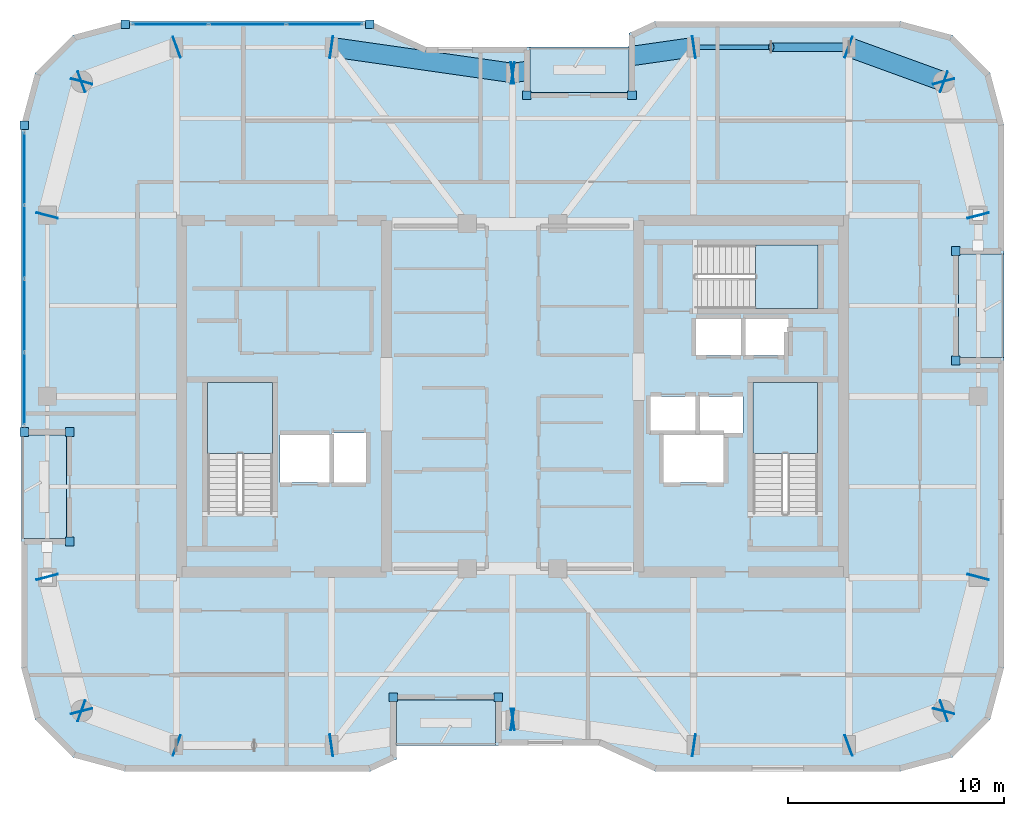
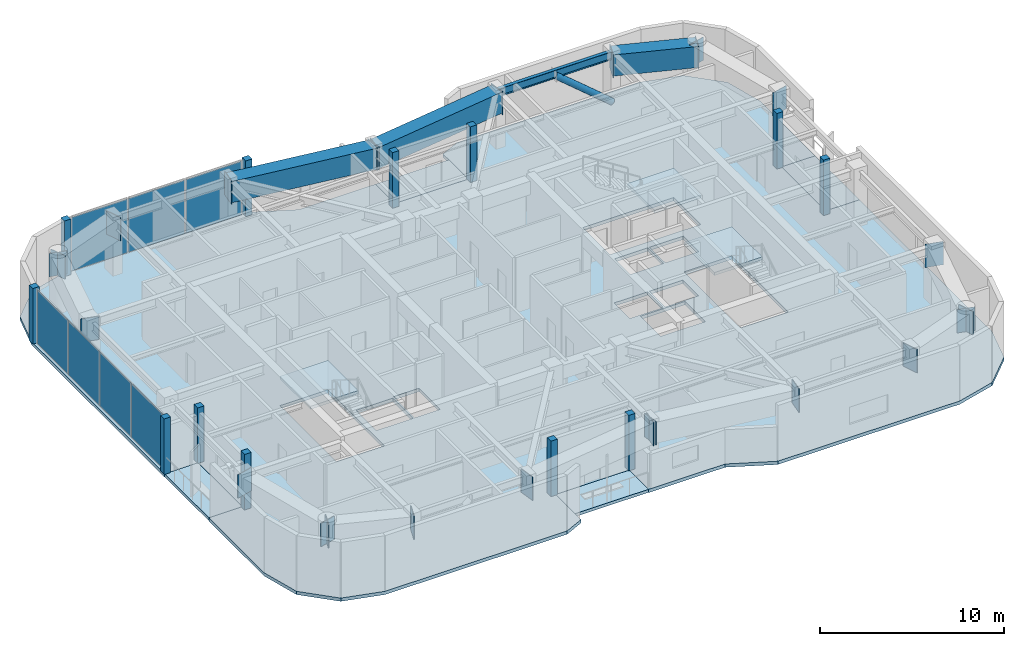
# One storey, part 7 of 16: 43 plates, 8 slabs, 4 beams, 1 member, 5 elements without a shape of their own.
"""IFC4 building model written with IfcOpenShell, lengths in metres."""

from ifc_helpers import new_model, si_unit, direction, frame, origin, origin_2d, place, context, subcontext, project, spatial, polyline, rectangle, hollow_rectangle, hollow_circle, i_section, outline, extrude, material, layer, layer_set, material_profile, profile_set, type_object, element, aggregate, save


model = new_model("IFC4")

# Units and contexts
model_context = context("Model", 3, precision=1e-05, world=origin(), true_north=direction((0.0, 1.0)))
body_context = subcontext(model_context, "Body", "Model", "MODEL_VIEW")
ifc_project = project(units=[si_unit("LENGTHUNIT", "METRE"), si_unit("AREAUNIT", "SQUARE_METRE"), si_unit("VOLUMEUNIT", "CUBIC_METRE"), si_unit("PLANEANGLEUNIT", "RADIAN"), si_unit("MASSUNIT", "GRAM", prefix="KILO")], contexts=[model_context])

# Site, building, storey
site_placement = place(None, origin())
site = spatial("IfcSite", under=ifc_project, at=site_placement, CompositionType="ELEMENT")
building_placement = place(site_placement, origin())
building = spatial("IfcBuilding", under=site, at=building_placement, Name="Kiyonajd Concourse Tower", CompositionType="ELEMENT")
storey_placement = place(building_placement, frame((0.0, 0.0, 325.800048828125)))
storey = spatial("IfcBuildingStorey", under=building, at=storey_placement, Name="L82", CompositionType="ELEMENT", Elevation=325.800048828125)

# Beams
ifc_material_1 = material(Name="Steel ASTM A992 Grade 50", Category="steel")
ifc_material_profile_1 = material_profile(ifc_material_1, i_section(OverallWidth=0.2109375, OverallDepth=0.5390625, WebThickness=0.01171875, FlangeThickness=0.018798828125, at=origin_2d()), Name="W530X109")
ifc_profile_set_1 = profile_set([ifc_material_profile_1], Name="Steel ASTM A992 Grade 50")
beam_type_1 = type_object("IfcBeamType", Name="BM-SPAN-530B", PredefinedType="SPANDREL", material=ifc_profile_set_1)
beam_1_placement = place(storey_placement, frame((63.60009765625, 52.199951171875, 3.410400390625), z_axis=(-1.0, 0.0, 0.0), x_axis=(0.0, -1.0, 0.0)))
element("IfcBeam", 1, at=beam_1_placement, inside=storey, type_object=beam_type_1, Name="L82 Perimeter Bundled Tube Spandrel", PredefinedType="SPANDREL", context=body_context, shape_type="SweptSolid", body=[
    extrude(i_section(OverallWidth=0.2109375, OverallDepth=0.5390625, WebThickness=0.01171875, FlangeThickness=0.018798828125, at=origin_2d()), origin(), (0.0, 0.0, 1.0), 7.2001953125),
])
ifc_material_2 = material(Name="Steel ASTM A572 Grade 50", Category="steel")
ifc_material_profile_2 = material_profile(ifc_material_2, hollow_rectangle(XDim=0.89990234375, YDim=1.39990234375, WallThickness=0.070068359375, at=origin_2d()), Name="BOX-1400x900x70")
ifc_profile_set_2 = profile_set([ifc_material_profile_2], Name="Steel ASTM A572 Grade 50")
beam_type_2 = type_object("IfcBeamType", Name="BM-XFER-1400", PredefinedType="BEAM", material=ifc_profile_set_2)
beam_2_placement = place(storey_placement, frame((68.0, 50.60009765625, 2.97998046875), z_axis=(-0.939801036019, 0.341722127901, 0.0), x_axis=(-0.341722127901, -0.939801036019, 0.0)))
element("IfcBeam", 2, at=beam_2_placement, inside=storey, type_object=beam_type_2, Name="L82 Perimeter Bundled Tube Spandrel", PredefinedType="BEAM", context=body_context, shape_type="SweptSolid", body=[
    extrude(hollow_rectangle(XDim=0.89990234375, YDim=1.39990234375, WallThickness=0.070068359375, at=origin_2d()), origin(), (0.0, 0.0, 1.0), 4.681640625),
])
for number, where, z_axis, x_axis, name in (
    (3, (56.39990234375, 52.199951171875, 2.97998046875), (-0.989950069105, -0.141417328072, 0.0), (0.141417328072, -0.989950069105, 0.0), "L82 Perimeter Bundled Tube Spandrel"),
    (4, (48.0, 51.0, 2.97998046875), (-0.989950069105, 0.141417328072, 0.0), (-0.141417328072, -0.989950069105, 0.0), "L82 Perimeter Bundled Tube Spandrel"),
):
    element("IfcBeam", number, at=place(storey_placement, frame(where, z_axis=z_axis, x_axis=x_axis)), inside=storey, type_object=beam_type_2, Name=name, PredefinedType="BEAM", context=body_context, shape_type="SweptSolid", body=[
        extrude(hollow_rectangle(XDim=0.89990234375, YDim=1.39990234375, WallThickness=0.070068359375, at=origin_2d()), origin(), (0.0, 0.0, 1.0), 8.485107421875),
    ])

# Member
ifc_material_3 = material(Name="Steel ASTM A500 Grade C", Category="steel")
ifc_material_profile_3 = material_profile(ifc_material_3, hollow_circle(Radius=0.202880859375, WallThickness=0.01904296875, at=origin_2d()), Name="CHS-406x19")
ifc_profile_set_3 = profile_set([ifc_material_profile_3], Name="Steel ASTM A500 Grade C")
member_type = type_object("IfcMemberType", Name="MB-PB-HIGH", PredefinedType="BRACE", material=ifc_profile_set_3)
member_placement = place(storey_placement, frame((63.60009765625, 52.199951171875, 0.300048828125), z_axis=(-0.765107605277, 0.0, 0.643902440085), x_axis=(0.0, -1.0, 0.0)))
element("IfcMember", 5, at=member_placement, inside=storey, type_object=member_type, Name="L82 Upper Zone Hollow Tube Brace PBN", PredefinedType="BRACE", context=body_context, shape_type="SweptSolid", body=[
    extrude(hollow_circle(Radius=0.202880859375, WallThickness=0.01904296875, at=origin_2d()), origin(), (0.0, 0.0, 1.0), 4.705322265625),
])

# Plates
ifc_layer_1 = layer(ifc_material_2, 0.031982421875)
ifc_layer_set_1 = layer_set([ifc_layer_1], Name="Steel ASTM A572 Grade 50")
plate_type_1 = type_object("IfcPlateType", Name="PL-CAP-540", PredefinedType="USERDEFINED", material=ifc_layer_set_1)
for number, where, z_axis, x_axis, name in (
    (6, (26.397216796875, 27.610595703125, 2.2099609375), (0.0, 0.0, 1.0), (-0.249873048837, 0.968278606324, 0.0), "L82 Welded Box Girder End Cap"),
    (7, (28.002685546875, 21.389404296875, 2.2099609375), (0.0, 0.0, 1.0), (0.249873048837, -0.968278606324, 0.0), "L82 Welded Box Girder End Cap"),
    (8, (27.98974609375, 21.40380859375, 2.2099609375), (0.0, 0.0, 1.0), (-0.939811951086, 0.341692107891, 0.0), "L82 Welded Box Girder End Cap"),
    (9, (32.410400390625, 19.796142578125, 2.2099609375), (0.0, 0.0, 1.0), (0.939811951086, -0.341692107891, 0.0), "L82 Welded Box Girder End Cap"),
    (10, (39.589111328125, 19.79833984375, 2.2099609375), (0.0, 0.0, 1.0), (-0.989949746297, -0.141419587774, 0.0), "L82 Welded Box Girder End Cap"),
    (11, (48.010986328125, 21.001708984375, 2.2099609375), (0.0, 0.0, 1.0), (0.989949746297, 0.141419587774, 0.0), "L82 Welded Box Girder End Cap"),
    (12, (47.989013671875, 21.001708984375, 2.2099609375), (0.0, 0.0, 1.0), (-0.989949746297, 0.141419587774, 0.0), "L82 Welded Box Girder End Cap"),
    (13, (56.410888671875, 19.79833984375, 2.2099609375), (0.0, 0.0, 1.0), (0.989949746297, -0.141419587774, 0.0), "L82 Welded Box Girder End Cap"),
    (14, (63.589599609375, 19.796142578125, 2.2099609375), (0.0, 0.0, 1.0), (-0.939811951086, -0.341692107891, 0.0), "L82 Welded Box Girder End Cap"),
    (15, (68.01025390625, 21.40380859375, 2.2099609375), (0.0, 0.0, 1.0), (0.939811951086, 0.341692107891, 0.0), "L82 Welded Box Girder End Cap"),
    (16, (67.997314453125, 21.389404296875, 2.2099609375), (0.0, 0.0, 1.0), (-0.249873048837, -0.968278606324, 0.0), "L82 Welded Box Girder End Cap"),
    (17, (69.602783203125, 27.610595703125, 2.2099609375), (0.0, 0.0, 1.0), (0.249873048837, 0.968278606324, 0.0), "L82 Welded Box Girder End Cap"),
    (18, (69.602783203125, 44.389404296875, 2.2099609375), (0.0, 0.0, 1.0), (0.249873048837, -0.968278606324, 0.0), "L82 Welded Box Girder End Cap"),
    (19, (67.997314453125, 50.610595703125, 2.2099609375), (0.0, 0.0, 1.0), (-0.249873048837, 0.968278606324, 0.0), "L82 Welded Box Girder End Cap"),
    (20, (68.01025390625, 50.59619140625, 2.2099609375), (0.0, 0.0, 1.0), (0.939811951086, -0.341692107891, 0.0), "L82 Welded Box Girder End Cap"),
    (21, (63.589599609375, 52.203857421875, 2.2099609375), (0.0, 0.0, 1.0), (-0.939811951086, 0.341692107891, 0.0), "L82 Welded Box Girder End Cap"),
    (22, (56.410888671875, 52.20166015625, 2.2099609375), (0.0, 0.0, 1.0), (0.989949746297, 0.141419587774, 0.0), "L82 Welded Box Girder End Cap"),
    (23, (47.989013671875, 50.998291015625, 2.2099609375), (0.0, 0.0, 1.0), (-0.989949746297, -0.141419587774, 0.0), "L82 Welded Box Girder End Cap"),
    (24, (48.010986328125, 50.998291015625, 2.2099609375), (0.0, 0.0, 1.0), (0.989949746297, -0.141419587774, 0.0), "L82 Welded Box Girder End Cap"),
    (25, (39.589111328125, 52.20166015625, 2.2099609375), (0.0, 0.0, 1.0), (-0.989949746297, 0.141419587774, 0.0), "L82 Welded Box Girder End Cap"),
    (26, (32.410400390625, 52.203857421875, 2.2099609375), (0.0, 0.0, 1.0), (0.939811951086, 0.341692107891, 0.0), "L82 Welded Box Girder End Cap"),
    (27, (27.98974609375, 50.59619140625, 2.2099609375), (0.0, 0.0, 1.0), (-0.939811951086, -0.341692107891, 0.0), "L82 Welded Box Girder End Cap"),
    (28, (28.002685546875, 50.610595703125, 2.2099609375), (0.0, 0.0, 1.0), (0.249873048837, 0.968278606324, 0.0), "L82 Welded Box Girder End Cap"),
    (29, (26.397216796875, 44.389404296875, 2.2099609375), (0.0, 0.0, 1.0), (-0.249873048837, -0.968278606324, 0.0), "L82 Welded Box Girder End Cap"),
):
    element("IfcPlate", number, at=place(storey_placement, frame(where, z_axis=z_axis, x_axis=x_axis)), inside=storey, type_object=plate_type_1, Name=name, ObjectType="CAP PLATE", PredefinedType="USERDEFINED", context=body_context, shape_type="SweptSolid", body=[
        extrude(rectangle(XDim=0.035888671875, YDim=1.02001953125, at=origin_2d()), origin(), (0.0, 0.0, 1.0), 1.5400390625),
    ])

# Curtain wall, plates
ifc_material_4 = material(Name="Thermally Broken Anodised Aluminium", Category="aluminium")
ifc_layer_2 = layer(ifc_material_4, 0.179931640625)
ifc_layer_set_2 = layer_set([ifc_layer_2], Name="Thermally Broken Anodised Aluminium")
curtain_wall_type = type_object("IfcCurtainWallType", Name="CW-SYS-04", PredefinedType="NOTDEFINED", material=ifc_layer_set_2)
curtain_wall_1_placement = place(storey_placement, origin())
curtain_wall_1 = element("IfcCurtainWall", 30, at=curtain_wall_1_placement, inside=storey, type_object=curtain_wall_type, Name="L82 Unitised Curtain Wall CW4", PredefinedType="NOTDEFINED")
ifc_material_5 = material(Name="Double Low-E Insulated Glass", Category="glass")
ifc_layer_3 = layer(ifc_material_5, 0.033935546875)
ifc_layer_set_3 = layer_set([ifc_layer_3], Name="Double Low-E Insulated Glass")
plate_type_2 = type_object("IfcPlateType", Name="PL-CW-VIS34", PredefinedType="CURTAIN_PANEL", material=ifc_layer_set_3)
plate_1_placement = place(storey_placement, frame((25.340087890625, 36.35400390625, 0.06494140625), z_axis=(0.0, 0.0, 1.0), x_axis=(0.0, 1.0, 0.0)))
plate_1 = element("IfcPlate", 31, at=plate_1_placement, type_object=plate_type_2, Name="CW4 panel 1.1", PredefinedType="CURTAIN_PANEL", context=body_context, shape_type="SweptSolid", body=[
    extrude(rectangle(XDim=3.31787109375, YDim=0.033935546875, at=origin_2d()), origin(), (0.0, 0.0, 1.0), 3.550048828125),
])
plate_2_placement = place(storey_placement, frame((25.340087890625, 39.753173828125, 0.06494140625), z_axis=(0.0, 0.0, 1.0), x_axis=(0.0, 1.0, 0.0)))
plate_2 = element("IfcPlate", 32, at=plate_2_placement, type_object=plate_type_2, Name="CW4 panel 2.1", PredefinedType="CURTAIN_PANEL", context=body_context, shape_type="SweptSolid", body=[
    extrude(rectangle(XDim=3.350341796875, YDim=0.033935546875, at=origin_2d()), origin(), (0.0, 0.0, 1.0), 3.550048828125),
])
plate_3_placement = place(storey_placement, frame((25.340087890625, 43.16845703125, 0.06494140625), z_axis=(0.0, 0.0, 1.0), x_axis=(0.0, 1.0, 0.0)))
plate_3 = element("IfcPlate", 33, at=plate_3_placement, type_object=plate_type_2, Name="CW4 panel 3.1", PredefinedType="CURTAIN_PANEL", context=body_context, shape_type="SweptSolid", body=[
    extrude(rectangle(XDim=3.350341796875, YDim=0.033935546875, at=origin_2d()), origin(), (0.0, 0.0, 1.0), 3.550048828125),
])
plate_4_placement = place(storey_placement, frame((25.340087890625, 46.567626953125, 0.06494140625), z_axis=(0.0, 0.0, 1.0), x_axis=(0.0, 1.0, 0.0)))
plate_4 = element("IfcPlate", 34, at=plate_4_placement, type_object=plate_type_2, Name="CW4 panel 4.1", PredefinedType="CURTAIN_PANEL", context=body_context, shape_type="SweptSolid", body=[
    extrude(rectangle(XDim=3.31787109375, YDim=0.033935546875, at=origin_2d()), origin(), (0.0, 0.0, 1.0), 3.550048828125),
])
aggregate(curtain_wall_1, [plate_1, plate_2, plate_3, plate_4])

curtain_wall_2_placement = place(storey_placement, origin())
curtain_wall_2 = element("IfcCurtainWall", 35, at=curtain_wall_2_placement, inside=storey, type_object=curtain_wall_type, Name="L82 Unitised Curtain Wall CW4", PredefinedType="NOTDEFINED")
plate_5_placement = place(storey_placement, frame((32.119873046875, 53.260009765625, 0.06494140625), z_axis=(0.0, 0.0, 1.0), x_axis=(1.0, 0.0, 0.0)))
plate_5 = element("IfcPlate", 36, at=plate_5_placement, type_object=plate_type_2, Name="CW4 panel 1.1", PredefinedType="CURTAIN_PANEL", context=body_context, shape_type="SweptSolid", body=[
    extrude(rectangle(XDim=3.492919921875, YDim=0.033935546875, at=origin_2d()), origin(), (0.0, 0.0, 1.0), 3.550048828125),
])
plate_6_placement = place(storey_placement, frame((35.69384765625, 53.260009765625, 0.06494140625), z_axis=(0.0, 0.0, 1.0), x_axis=(1.0, 0.0, 0.0)))
plate_6 = element("IfcPlate", 37, at=plate_6_placement, type_object=plate_type_2, Name="CW4 panel 2.1", PredefinedType="CURTAIN_PANEL", context=body_context, shape_type="SweptSolid", body=[
    extrude(rectangle(XDim=3.525390625, YDim=0.033935546875, at=origin_2d()), origin(), (0.0, 0.0, 1.0), 3.550048828125),
])
plate_7_placement = place(storey_placement, frame((39.267822265625, 53.260009765625, 0.06494140625), z_axis=(0.0, 0.0, 1.0), x_axis=(1.0, 0.0, 0.0)))
plate_7 = element("IfcPlate", 38, at=plate_7_placement, type_object=plate_type_2, Name="CW4 panel 3.1", PredefinedType="CURTAIN_PANEL", context=body_context, shape_type="SweptSolid", body=[
    extrude(rectangle(XDim=3.492919921875, YDim=0.033935546875, at=origin_2d()), origin(), (0.0, 0.0, 1.0), 3.550048828125),
])
aggregate(curtain_wall_2, [plate_5, plate_6, plate_7])

# Plates
ifc_layer_4 = layer(ifc_material_4, 0.39990234375)
ifc_layer_set_4 = layer_set([ifc_layer_4], Name="Thermally Broken Anodised Aluminium")
plate_type_3 = type_object("IfcPlateType", Name="PL-JMB-400", PredefinedType="USERDEFINED", material=ifc_layer_set_4)
for number, where, z_axis, x_axis, name in (
    (39, (27.43994140625, 29.260009765625, 0.0), (0.0, 0.0, 1.0), (1.0, 0.0, 0.0), "L82 Facade Jamb Closure Plate 01"),
    (40, (27.43994140625, 34.340087890625, 0.0), (0.0, 0.0, 1.0), (1.0, 0.0, 0.0), "L82 Facade Jamb Closure Plate 02"),
    (41, (25.340087890625, 34.340087890625, 0.0), (0.0, 0.0, 1.0), (1.0, 0.0, 0.0), "L82 Facade Jamb Closure Plate 03"),
    (42, (25.340087890625, 48.58154296875, 0.0), (0.0, 0.0, 1.0), (1.0, 0.0, 0.0), "L82 Facade Jamb Closure Plate 04"),
    (43, (30.018310546875, 53.260009765625, 0.0), (0.0, 0.0, 1.0), (1.0, 0.0, 0.0), "L82 Facade Jamb Closure Plate 05"),
    (44, (41.369384765625, 53.260009765625, 0.0), (0.0, 0.0, 1.0), (1.0, 0.0, 0.0), "L82 Facade Jamb Closure Plate 06"),
    (45, (48.659912109375, 49.9599609375, 0.0), (0.0, 0.0, 1.0), (1.0, 0.0, 0.0), "L82 Facade Jamb Closure Plate 07"),
    (46, (53.5400390625, 49.9599609375, 0.0), (0.0, 0.0, 1.0), (1.0, 0.0, 0.0), "L82 Facade Jamb Closure Plate 08"),
    (47, (68.56005859375, 42.739990234375, 0.0), (0.0, 0.0, 1.0), (1.0, 0.0, 0.0), "L82 Facade Jamb Closure Plate 09"),
    (48, (68.56005859375, 37.659912109375, 0.0), (0.0, 0.0, 1.0), (1.0, 0.0, 0.0), "L82 Facade Jamb Closure Plate 10"),
    (49, (47.340087890625, 22.0400390625, 0.0), (0.0, 0.0, 1.0), (1.0, 0.0, 0.0), "L82 Facade Jamb Closure Plate 11"),
    (50, (42.4599609375, 22.0400390625, 0.0), (0.0, 0.0, 1.0), (1.0, 0.0, 0.0), "L82 Facade Jamb Closure Plate 12"),
):
    element("IfcPlate", number, at=place(storey_placement, frame(where, z_axis=z_axis, x_axis=x_axis)), inside=storey, type_object=plate_type_3, Name=name, ObjectType="JAMB PLATE", PredefinedType="USERDEFINED", context=body_context, shape_type="SweptSolid", body=[
        extrude(rectangle(XDim=0.39990234375, YDim=0.39990234375, at=origin_2d()), origin(), (0.0, 0.0, 1.0), 3.679931640625),
    ])

# Stair, slab
ifc_material_6 = material(Name="Concrete C40/50", Category="concrete")
stair_type = type_object("IfcStairType", Name="ST-DLG-22R", PredefinedType="HALF_TURN_STAIR", material=ifc_material_6)
stair_1_placement = place(storey_placement, origin())
stair_1 = element("IfcStair", 51, at=stair_1_placement, inside=storey, type_object=stair_type, Name="L82 Protected Exit Stair ST1", PredefinedType="HALF_TURN_STAIR")
ifc_layer_5 = layer(ifc_material_6, 0.199951171875)
ifc_layer_set_5 = layer_set([ifc_layer_5], Name="Concrete C40/50")
slab_type_1 = type_object("IfcSlabType", Name="SL-LND-200", PredefinedType="LANDING", material=ifc_layer_set_5)
slab_1_placement = place(storey_placement, frame((0.0, 0.0, 1.75)))
slab_1 = element("IfcSlab", 52, at=slab_1_placement, type_object=slab_type_1, Name="ST1 landing 1", PredefinedType="LANDING", context=body_context, shape_type="SweptSolid", body=[
    extrude(outline(polyline([(36.85009765625, 33.35009765625), (36.85009765625, 36.64990234375), (33.85009765625, 36.64990234375), (33.85009765625, 33.35009765625), (36.85009765625, 33.35009765625)])), origin(), (0.0, 0.0, 1.0), 0.199951171875),
])
aggregate(stair_1, [slab_1])

stair_2_placement = place(storey_placement, origin())
stair_2 = element("IfcStair", 53, at=stair_2_placement, inside=storey, type_object=stair_type, Name="L82 Protected Exit Stair ST2", PredefinedType="HALF_TURN_STAIR")
slab_2_placement = place(storey_placement, frame((0.0, 0.0, 1.75)))
slab_2 = element("IfcSlab", 54, at=slab_2_placement, type_object=slab_type_1, Name="ST2 landing 1", PredefinedType="LANDING", context=body_context, shape_type="SweptSolid", body=[
    extrude(outline(polyline([(62.14990234375, 33.35009765625), (62.14990234375, 36.64990234375), (59.14990234375, 36.64990234375), (59.14990234375, 33.35009765625), (62.14990234375, 33.35009765625)])), origin(), (0.0, 0.0, 1.0), 0.199951171875),
])
aggregate(stair_2, [slab_2])

stair_3_placement = place(storey_placement, origin())
stair_3 = element("IfcStair", 55, at=stair_3_placement, inside=storey, type_object=stair_type, Name="L82 Protected Exit Stair ST3", PredefinedType="HALF_TURN_STAIR")
slab_3_placement = place(storey_placement, frame((0.0, 0.0, 1.75)))
slab_3 = element("IfcSlab", 56, at=slab_3_placement, type_object=slab_type_1, Name="ST3 landing 1", PredefinedType="LANDING", context=body_context, shape_type="SweptSolid", body=[
    extrude(outline(polyline([(59.280029296875, 40.080078125), (62.179931640625, 40.080078125), (62.179931640625, 43.02001953125), (59.280029296875, 43.02001953125), (59.280029296875, 40.080078125)])), origin(), (0.0, 0.0, 1.0), 0.199951171875),
])
aggregate(stair_3, [slab_3])

# Slabs
ifc_material_7 = material(Name="Precast concrete C50/60", Category="concrete")
ifc_layer_6 = layer(ifc_material_7, 0.199951171875)
ifc_layer_set_6 = layer_set([ifc_layer_6], Name="Precast concrete C50/60")
slab_type_2 = type_object("IfcSlabType", Name="SL-LOG-200", PredefinedType="FLOOR", material=ifc_layer_set_6)
slab_4_placement = place(storey_placement, frame((0.0, 0.0, -0.199951171875)))
element("IfcSlab", 57, at=slab_4_placement, inside=storey, type_object=slab_type_2, Name="L82 Recessed Engawa Loggia Terrace Slab LOG-S", PredefinedType="FLOOR", context=body_context, shape_type="SweptSolid", body=[
    extrude(outline(polyline([(42.60009765625, 19.800048828125), (47.199951171875, 19.800048828125), (47.199951171875, 21.89990234375), (42.60009765625, 21.89990234375), (42.60009765625, 19.800048828125)])), origin(), (0.0, 0.0, 1.0), 0.199951171875),
])
slab_5_placement = place(storey_placement, frame((0.0, 0.0, -0.199951171875)))
element("IfcSlab", 58, at=slab_5_placement, inside=storey, type_object=slab_type_2, Name="L82 Recessed Engawa Loggia Terrace Slab LOG-N", PredefinedType="FLOOR", context=body_context, shape_type="SweptSolid", body=[
    extrude(outline(polyline([(48.800048828125, 50.10009765625), (53.39990234375, 50.10009765625), (53.39990234375, 52.199951171875), (48.800048828125, 52.199951171875), (48.800048828125, 50.10009765625)])), origin(), (0.0, 0.0, 1.0), 0.199951171875),
])
slab_6_placement = place(storey_placement, frame((0.0, 0.0, -0.199951171875)))
element("IfcSlab", 59, at=slab_6_placement, inside=storey, type_object=slab_type_2, Name="L82 Recessed Engawa Loggia Terrace Slab LOG-W", PredefinedType="FLOOR", context=body_context, shape_type="SweptSolid", body=[
    extrude(outline(polyline([(25.199951171875, 29.39990234375), (27.300048828125, 29.39990234375), (27.300048828125, 34.199951171875), (25.199951171875, 34.199951171875), (25.199951171875, 29.39990234375)])), origin(), (0.0, 0.0, 1.0), 0.199951171875),
])
slab_7_placement = place(storey_placement, frame((0.0, 0.0, -0.199951171875)))
element("IfcSlab", 60, at=slab_7_placement, inside=storey, type_object=slab_type_2, Name="L82 Recessed Engawa Loggia Terrace Slab LOG-E", PredefinedType="FLOOR", context=body_context, shape_type="SweptSolid", body=[
    extrude(outline(polyline([(68.699951171875, 37.800048828125), (70.800048828125, 37.800048828125), (70.800048828125, 42.60009765625), (68.699951171875, 42.60009765625), (68.699951171875, 37.800048828125)])), origin(), (0.0, 0.0, 1.0), 0.199951171875),
])
ifc_layer_7 = layer(ifc_material_6, 0.219970703125)
ifc_layer_set_7 = layer_set([ifc_layer_7], Name="Concrete C40/50")
slab_type_3 = type_object("IfcSlabType", Name="SL-TWR-220", PredefinedType="FLOOR", material=ifc_layer_set_7)
slab_8_placement = place(storey_placement, frame((0.0, 0.0, -0.219970703125)))
element("IfcSlab", 61, at=slab_8_placement, inside=storey, type_object=slab_type_3, Name="L82 Tower Conditioned Floor Slab", PredefinedType="FLOOR", context=body_context, shape_type="SweptSolid", body=[
    extrude(outline(polyline([(25.843017578125, 21.0), (25.199951171875, 23.39990234375), (25.199951171875, 29.39990234375), (27.300048828125, 29.39990234375), (27.300048828125, 34.199951171875), (25.199951171875, 34.199951171875), (25.199951171875, 48.60009765625), (25.843017578125, 51.0), (27.60009765625, 52.757080078125), (30.0, 53.39990234375), (41.39990234375, 53.39990234375), (44.0, 52.199951171875), (48.800048828125, 52.199951171875), (48.800048828125, 50.10009765625), (53.39990234375, 50.10009765625), (53.39990234375, 52.845947265625), (54.60009765625, 53.39990234375), (66.0, 53.39990234375), (68.39990234375, 52.757080078125), (70.156982421875, 51.0), (70.800048828125, 48.60009765625), (70.800048828125, 42.60009765625), (68.699951171875, 42.60009765625), (68.699951171875, 37.800048828125), (70.800048828125, 37.800048828125), (70.800048828125, 23.39990234375), (70.156982421875, 21.0), (68.39990234375, 19.242919921875), (66.0, 18.60009765625), (54.60009765625, 18.60009765625), (52.0, 19.800048828125), (47.199951171875, 19.800048828125), (47.199951171875, 21.89990234375), (42.60009765625, 21.89990234375), (42.60009765625, 19.154052734375), (41.39990234375, 18.60009765625), (30.0, 18.60009765625), (27.60009765625, 19.242919921875), (25.843017578125, 21.0)]), holes=[polyline([(39.5, 32.0), (37.199951171875, 32.0), (37.199951171875, 34.199951171875), (39.5, 34.199951171875), (39.5, 32.0)]), polyline([(57.800048828125, 32.0), (55.0, 32.0), (55.0, 34.199951171875), (57.800048828125, 34.199951171875), (57.800048828125, 32.0)]), polyline([(41.199951171875, 32.0), (39.60009765625, 32.0), (39.60009765625, 34.300048828125), (41.199951171875, 34.300048828125), (41.199951171875, 32.0)]), polyline([(33.85009765625, 30.550048828125), (33.85009765625, 36.64990234375), (36.85009765625, 36.64990234375), (36.85009765625, 30.550048828125), (33.85009765625, 30.550048828125)]), polyline([(59.14990234375, 30.550048828125), (59.14990234375, 36.64990234375), (62.14990234375, 36.64990234375), (62.14990234375, 30.550048828125), (59.14990234375, 30.550048828125)]), polyline([(56.5, 34.300048828125), (54.39990234375, 34.300048828125), (54.39990234375, 36.0), (56.5, 36.0), (56.5, 34.300048828125)]), polyline([(58.699951171875, 34.300048828125), (56.60009765625, 34.300048828125), (56.60009765625, 36.0), (58.699951171875, 36.0), (58.699951171875, 34.300048828125)]), polyline([(58.60009765625, 37.89990234375), (56.5, 37.89990234375), (56.5, 39.60009765625), (58.60009765625, 39.60009765625), (58.60009765625, 37.89990234375)]), polyline([(58.699951171875, 37.89990234375), (58.699951171875, 39.60009765625), (60.800048828125, 39.60009765625), (60.800048828125, 37.89990234375), (58.699951171875, 37.89990234375)]), polyline([(56.47998046875, 43.02001953125), (62.179931640625, 43.02001953125), (62.179931640625, 40.080078125), (56.47998046875, 40.080078125), (56.47998046875, 43.02001953125)])]), origin(), (0.0, 0.0, 1.0), 0.219970703125),
])

save(model, "model.ifc")
